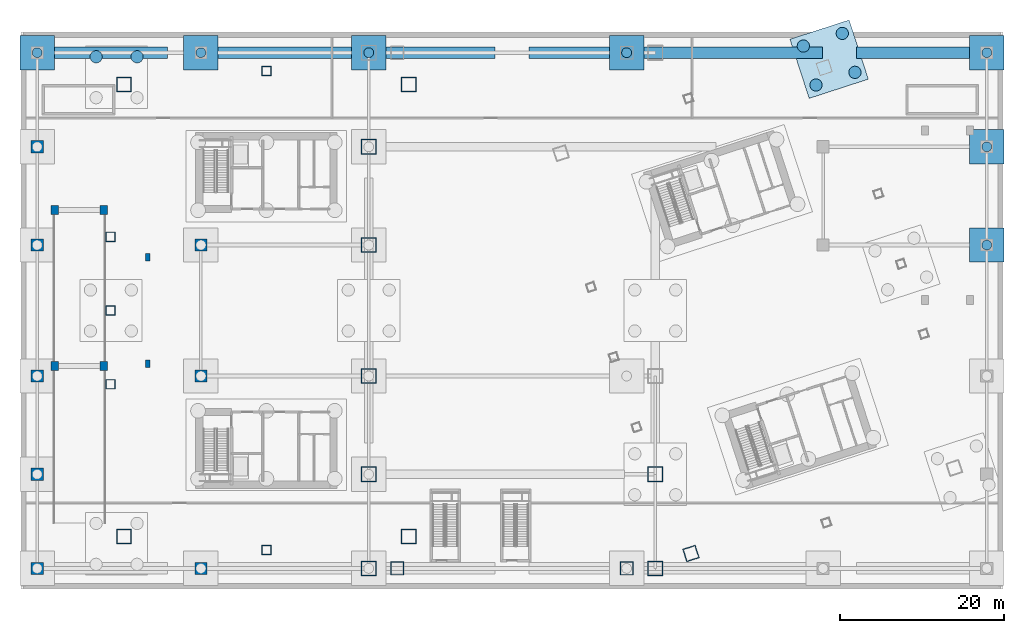
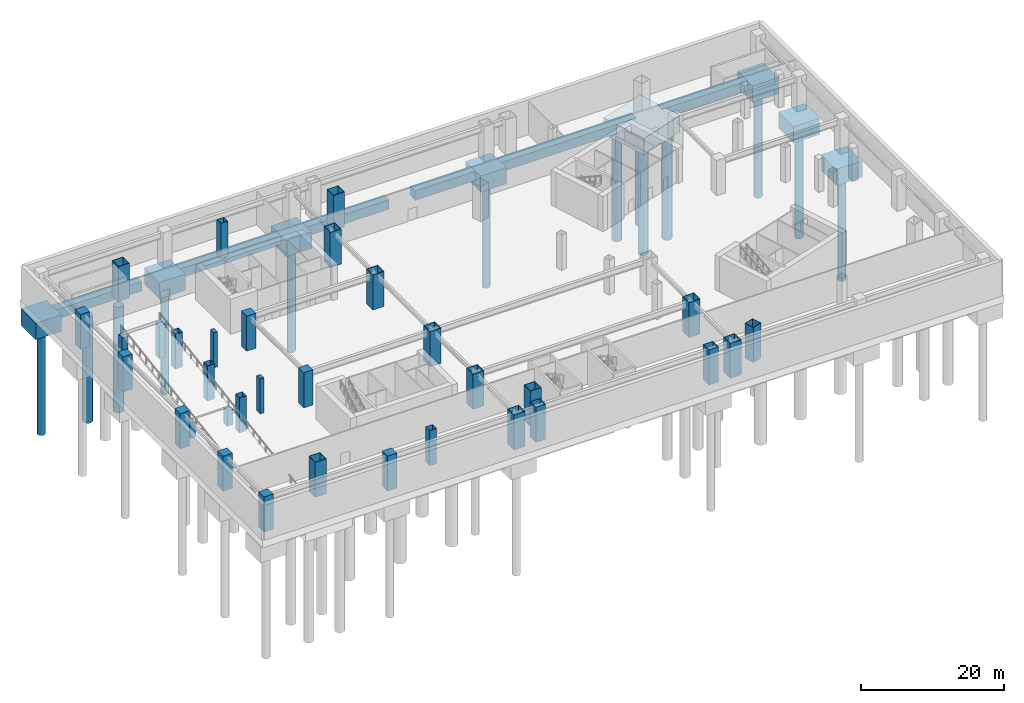
# One storey, part 2 of 20: 33 columns, 13 piles, 12 footings.
"""IFC4 building model written with IfcOpenShell, lengths in metres."""

import ifcopenshell
import ifcopenshell.guid

model = None  # the IFC model being written
_history = None  # IfcOwnerHistory: only IFC2X3 demands one
_inside = {}  # id of a spatial element -> (the spatial element, [elements in it])
_under = {}  # id of a project, library or spatial element -> (it, [spatial elements below it])
_declared = {}  # id of a project -> (the project, [libraries it declares])
_typed = {}  # id of a type object -> (the type object, [elements of that type])
_made_of = {}  # id of a material, layer set ... -> (it, [elements and type objects made of it])


def new_model(schema):
    """Start an empty IFC model of exactly this schema.

    Asked for "IFC4X3", IfcOpenShell would pick the latest addendum, in which some entities
    have other attributes; the version numbers below select the first issue.
    IFC2X3 requires an IfcOwnerHistory on every rooted entity: one is made here for all.
    """
    global model, _history
    if schema == "IFC4X3":
        model = ifcopenshell.file(schema_version=(4, 3, 0, 0))
    else:
        model = ifcopenshell.file(schema=schema)
    _inside.clear()
    _under.clear()
    _declared.clear()
    _typed.clear()
    _made_of.clear()
    _history = None
    if model.schema == "IFC2X3":
        org = make("IfcOrganization", Name="unknown")
        user = make(
            "IfcPersonAndOrganization",
            ThePerson=make("IfcPerson", FamilyName="unknown"),
            TheOrganization=org,
        )
        app = make(
            "IfcApplication",
            ApplicationDeveloper=org,
            Version="unknown",
            ApplicationFullName="unknown",
            ApplicationIdentifier="unknown",
        )
        _history = make(
            "IfcOwnerHistory",
            OwningUser=user,
            OwningApplication=app,
            ChangeAction="ADDED",
            CreationDate=0,
        )
    return model


def make(cls, **values):
    """One entity of the class cls with the attributes given. An attribute that is None is left unset."""
    return model.create_entity(
        cls, **{name: value for name, value in values.items() if value is not None}
    )


def rooted(cls, **values):
    """An entity with a GlobalId (a new one), such as an element, a storey or a relation."""
    return make(cls, GlobalId=ifcopenshell.guid.new(), OwnerHistory=_history, **values)


def si_unit(unit_type, name, prefix=None):
    """IfcSIUnit, for example si_unit("LENGTHUNIT", "METRE", prefix="MILLI")."""
    return make("IfcSIUnit", UnitType=unit_type, Prefix=prefix, Name=name)


def assignment(units):
    """IfcUnitAssignment: the units of a project."""
    return None if units is None else make("IfcUnitAssignment", Units=units)


def point(xyz):
    """IfcCartesianPoint."""
    return None if xyz is None else make("IfcCartesianPoint", Coordinates=xyz)


def direction(xyz):
    """IfcDirection."""
    return None if xyz is None else make("IfcDirection", DirectionRatios=xyz)


def frame(location, z_axis=None, x_axis=None):
    """IfcAxis2Placement3D, a coordinate frame: its origin and axes. An axis left out is left unset."""
    return make(
        "IfcAxis2Placement3D",
        Location=point(location),
        Axis=direction(z_axis),
        RefDirection=direction(x_axis),
    )


def frame_2d(location, x_axis=None):
    """IfcAxis2Placement2D, a coordinate frame in the plane: its origin and x axis."""
    return make(
        "IfcAxis2Placement2D", Location=point(location), RefDirection=direction(x_axis)
    )


def origin():
    """The frame at (0, 0, 0) with its axes left unset."""
    return frame((0.0, 0.0, 0.0))


def origin_2d():
    """The frame at (0, 0) in the plane with its x axis left unset."""
    return frame_2d((0.0, 0.0))


def place(relative_to, where):
    """IfcLocalPlacement: puts the frame where relative to a parent placement (None: the world)."""
    return make(
        "IfcLocalPlacement", PlacementRelTo=relative_to, RelativePlacement=where
    )


def context(
    kind, dimensions, precision=None, world=None, true_north=None, identifier=None
):
    """IfcGeometricRepresentationContext, for example the 3D "Model" context."""
    return make(
        "IfcGeometricRepresentationContext",
        ContextIdentifier=identifier,
        ContextType=kind,
        CoordinateSpaceDimension=dimensions,
        Precision=precision,
        WorldCoordinateSystem=world,
        TrueNorth=true_north,
    )


def subcontext(parent, identifier, kind, view, scale=None):
    """IfcGeometricRepresentationSubContext, for example "Body" below "Model"."""
    return make(
        "IfcGeometricRepresentationSubContext",
        ContextIdentifier=identifier,
        ContextType=kind,
        ParentContext=parent,
        TargetScale=scale,
        TargetView=view,
    )


def project(units=None, contexts=None):
    """IfcProject with its units and contexts."""
    return rooted(
        "IfcProject",
        Name="project",
        RepresentationContexts=contexts,
        UnitsInContext=assignment(units),
    )


def spatial(cls, under=None, at=None, **own):
    """A site, building, storey or space (cls), placed at a placement, below another one or the project."""
    s = rooted(cls, ObjectPlacement=at, **own)
    if under is not None:
        _under.setdefault(under.id(), (under, []))[1].append(s)
    return s


def polyline(points):
    """IfcPolyline through the points."""
    return make("IfcPolyline", Points=[point(p) for p in points])


def profile(cls, at=None, kind="AREA", **sizes):
    """A parametric profile (cls). Its sizes go by their IFC names, for example OverallWidth=200.0."""
    return make(cls, ProfileType=kind, Position=at, **sizes)


def rectangle(**sizes):
    """IfcRectangleProfileDef."""
    return profile("IfcRectangleProfileDef", **sizes)


def hollow_rectangle(**sizes):
    """IfcRectangleHollowProfileDef."""
    return profile("IfcRectangleHollowProfileDef", **sizes)


def circle(**sizes):
    """IfcCircleProfileDef."""
    return profile("IfcCircleProfileDef", **sizes)


def outline(outer, holes=None, kind="AREA"):
    """IfcArbitraryClosedProfileDef: a profile drawn as a closed curve; with holes, ...WithVoids."""
    if holes is None:
        return make("IfcArbitraryClosedProfileDef", ProfileType=kind, OuterCurve=outer)
    return make(
        "IfcArbitraryProfileDefWithVoids",
        ProfileType=kind,
        OuterCurve=outer,
        InnerCurves=holes,
    )


def extrude(swept, where, along, depth):
    """IfcExtrudedAreaSolid: the profile swept, set in the frame where, extruded along a direction by depth."""
    return make(
        "IfcExtrudedAreaSolid",
        SweptArea=swept,
        Position=where,
        ExtrudedDirection=direction(along),
        Depth=depth,
    )


def shape(context_of_items, identifier, shape_type, items):
    """IfcShapeRepresentation: the items that make up one representation, for example the "Body"."""
    return make(
        "IfcShapeRepresentation",
        ContextOfItems=context_of_items,
        RepresentationIdentifier=identifier,
        RepresentationType=shape_type,
        Items=items,
    )


def material(Name=None, Category=None):
    """IfcMaterial."""
    return make("IfcMaterial", Name=Name, Category=Category)


def material_profile(
    of_material, cross_section, Name=None, Category=None, Priority=None
):
    """IfcMaterialProfile: a cross section and its material."""
    return make(
        "IfcMaterialProfile",
        Name=Name,
        Material=of_material,
        Profile=cross_section,
        Priority=Priority,
        Category=Category,
    )


def profile_set(profiles, Name=None, composite=None):
    """IfcMaterialProfileSet."""
    return make(
        "IfcMaterialProfileSet",
        Name=Name,
        MaterialProfiles=profiles,
        CompositeProfile=composite,
    )


def made_of(thing, what):
    """Note that an element or type object is made of a material, layer set ...; save() writes the relation."""
    if what is not None:
        _made_of.setdefault(what.id(), (what, []))[1].append(thing)
    return thing


def type_object(cls, material=None, **own):
    """A type object (cls), such as IfcWallType, which elements share."""
    return made_of(rooted(cls, **own), material)


def element(
    cls,
    number,
    at=None,
    inside=None,
    cuts=None,
    type_object=None,
    material=None,
    context=None,
    identifier="Body",
    shape_type=None,
    held_by="IfcProductDefinitionShape",
    body=None,
    shapes=None,
    **own,
):
    """One element of the class cls, such as IfcWall. Its Tag is "e" and its number.

    at: its placement. inside: the storey or other place that contains it. cuts: it is an
    opening in that element (IfcRelVoidsElement). A single representation is given by context,
    identifier, shape_type and body (its items); several are given by shapes. held_by: the class
    of the entity that holds the representations. save() writes the other relations.
    """
    e = rooted(cls, Tag="e%d" % number, ObjectPlacement=at, **own)
    if body is not None:
        shapes = [shape(context, identifier, shape_type, body)]
    if shapes is not None:
        e.Representation = make(held_by, Representations=shapes)
    if inside is not None:
        _inside.setdefault(inside.id(), (inside, []))[1].append(e)
    if cuts is not None:
        rooted(
            "IfcRelVoidsElement", RelatingBuildingElement=cuts, RelatedOpeningElement=e
        )
    if type_object is not None:
        _typed.setdefault(type_object.id(), (type_object, []))[1].append(e)
    return made_of(e, material)


def aggregate(whole, parts):
    """IfcRelAggregates: a whole, such as a stair, and the parts it consists of."""
    return rooted("IfcRelAggregates", RelatingObject=whole, RelatedObjects=parts)


def save(model, path):
    """Write the relations noted so far, then the file.

    IfcRelAggregates (storeys below a building ...), IfcRelContainedInSpatialStructure (elements
    in a storey), IfcRelDefinesByType, IfcRelAssociatesMaterial and IfcRelDeclares: one each for
    every whole, place, type object, material and project.
    """
    for whole, parts in _under.values():
        aggregate(whole, parts)
    for where, things in _inside.values():
        rooted(
            "IfcRelContainedInSpatialStructure",
            RelatedElements=things,
            RelatingStructure=where,
        )
    for kind, things in _typed.values():
        rooted("IfcRelDefinesByType", RelatedObjects=things, RelatingType=kind)
    for what, things in _made_of.values():
        rooted("IfcRelAssociatesMaterial", RelatedObjects=things, RelatingMaterial=what)
    for by, libraries in _declared.values():
        rooted("IfcRelDeclares", RelatingContext=by, RelatedDefinitions=libraries)
    model.write(path)


model = new_model("IFC4")

# Units and contexts
model_context = context("Model", 3, precision=1e-05, world=origin(), true_north=direction((0.0, 1.0)))
body_context = subcontext(model_context, "Body", "Model", "MODEL_VIEW")
ifc_project = project(units=[si_unit("LENGTHUNIT", "METRE"), si_unit("AREAUNIT", "SQUARE_METRE"), si_unit("VOLUMEUNIT", "CUBIC_METRE"), si_unit("PLANEANGLEUNIT", "RADIAN"), si_unit("MASSUNIT", "GRAM", prefix="KILO")], contexts=[model_context])

# Site, building, storey
site_placement = place(None, origin())
site = spatial("IfcSite", under=ifc_project, at=site_placement, CompositionType="ELEMENT")
building_placement = place(site_placement, origin())
building = spatial("IfcBuilding", under=site, at=building_placement, Name="Qiaolan Cultural Towers", CompositionType="ELEMENT")
storey_placement = place(building_placement, frame((0.0, 0.0, -12.0)))
storey = spatial("IfcBuildingStorey", under=building, at=storey_placement, Name="B2", CompositionType="ELEMENT", Elevation=-12.0)

# Footings
ifc_material_1 = material(Name="Concrete C45", Category="concrete")
footing_type_1 = type_object("IfcFootingType", Name="FT-MEGA-CAP", PredefinedType="PILE_CAP", material=ifc_material_1)
footing_1_placement = place(storey_placement, frame((0.0, 0.0, -4.0)))
element("IfcFooting", 1, at=footing_1_placement, inside=storey, type_object=footing_type_1, Name="Mega-Column Pile Cap ET-NE", PredefinedType="PILE_CAP", context=body_context, shape_type="SweptSolid", body=[
    extrude(outline(polyline([(96.300048828125, 59.915283203125), (103.528076171875, 62.263671875), (101.1796875, 69.49169921875), (93.95166015625, 67.143310546875), (96.300048828125, 59.915283203125)])), origin(), (0.0, 0.0, 1.0), 2.800048828125),
])
ifc_material_2 = material(Name="Concrete C45", Category="concrete")
footing_type_2 = type_object("IfcFootingType", Name="FT-POD-PAD", PredefinedType="PAD_FOOTING", material=ifc_material_2)
footing_2_placement = place(storey_placement, frame((0.0, 0.0, -4.0)))
element("IfcFooting", 2, at=footing_2_placement, inside=storey, type_object=footing_type_2, Name="Podium Perimeter Pad Footing PF-06", PredefinedType="PAD_FOOTING", context=body_context, shape_type="SweptSolid", body=[
    extrude(outline(polyline([(-0.10009765625, 63.39990234375), (4.10009765625, 63.39990234375), (4.10009765625, 67.60009765625), (-0.10009765625, 67.60009765625), (-0.10009765625, 63.39990234375)])), origin(), (0.0, 0.0, 1.0), 2.800048828125),
])
footing_3_placement = place(storey_placement, frame((0.0, 0.0, -4.0)))
element("IfcFooting", 3, at=footing_3_placement, inside=storey, type_object=footing_type_2, Name="Podium Perimeter Pad Footing PF-10", PredefinedType="PAD_FOOTING", context=body_context, shape_type="SweptSolid", body=[
    extrude(outline(polyline([(19.89990234375, 63.39990234375), (24.10009765625, 63.39990234375), (24.10009765625, 67.60009765625), (19.89990234375, 67.60009765625), (19.89990234375, 63.39990234375)])), origin(), (0.0, 0.0, 1.0), 2.800048828125),
])
footing_4_placement = place(storey_placement, frame((0.0, 0.0, -4.0)))
element("IfcFooting", 4, at=footing_4_placement, inside=storey, type_object=footing_type_2, Name="Podium Perimeter Pad Footing PF-16", PredefinedType="PAD_FOOTING", context=body_context, shape_type="SweptSolid", body=[
    extrude(outline(polyline([(40.39990234375, 63.39990234375), (44.60009765625, 63.39990234375), (44.60009765625, 67.60009765625), (40.39990234375, 67.60009765625), (40.39990234375, 63.39990234375)])), origin(), (0.0, 0.0, 1.0), 2.800048828125),
])
footing_5_placement = place(storey_placement, frame((0.0, 0.0, -4.0)))
element("IfcFooting", 5, at=footing_5_placement, inside=storey, type_object=footing_type_2, Name="Podium Perimeter Pad Footing PF-19", PredefinedType="PAD_FOOTING", context=body_context, shape_type="SweptSolid", body=[
    extrude(outline(polyline([(71.89990234375, 63.39990234375), (76.10009765625, 63.39990234375), (76.10009765625, 67.60009765625), (71.89990234375, 67.60009765625), (71.89990234375, 63.39990234375)])), origin(), (0.0, 0.0, 1.0), 2.800048828125),
])
footing_6_placement = place(storey_placement, frame((0.0, 0.0, -4.0)))
element("IfcFooting", 6, at=footing_6_placement, inside=storey, type_object=footing_type_2, Name="Podium Perimeter Pad Footing PF-23", PredefinedType="PAD_FOOTING", context=body_context, shape_type="SweptSolid", body=[
    extrude(outline(polyline([(115.89990234375, 39.89990234375), (120.10009765625, 39.89990234375), (120.10009765625, 44.10009765625), (115.89990234375, 44.10009765625), (115.89990234375, 39.89990234375)])), origin(), (0.0, 0.0, 1.0), 2.800048828125),
])
footing_7_placement = place(storey_placement, frame((0.0, 0.0, -4.0)))
element("IfcFooting", 7, at=footing_7_placement, inside=storey, type_object=footing_type_2, Name="Podium Perimeter Pad Footing PF-24", PredefinedType="PAD_FOOTING", context=body_context, shape_type="SweptSolid", body=[
    extrude(outline(polyline([(115.89990234375, 51.89990234375), (120.10009765625, 51.89990234375), (120.10009765625, 56.10009765625), (115.89990234375, 56.10009765625), (115.89990234375, 51.89990234375)])), origin(), (0.0, 0.0, 1.0), 2.800048828125),
])
footing_8_placement = place(storey_placement, frame((0.0, 0.0, -4.0)))
element("IfcFooting", 8, at=footing_8_placement, inside=storey, type_object=footing_type_2, Name="Podium Perimeter Pad Footing PF-25", PredefinedType="PAD_FOOTING", context=body_context, shape_type="SweptSolid", body=[
    extrude(outline(polyline([(115.89990234375, 63.39990234375), (120.10009765625, 63.39990234375), (120.10009765625, 67.60009765625), (115.89990234375, 67.60009765625), (115.89990234375, 63.39990234375)])), origin(), (0.0, 0.0, 1.0), 2.800048828125),
])
ifc_material_3 = material(Name="Concrete C45", Category="concrete")
footing_type_3 = type_object("IfcFootingType", Name="FT-STRIP-WALL", PredefinedType="STRIP_FOOTING", material=ifc_material_3)
footing_9_placement = place(storey_placement, frame((0.0, 0.0, -2.800048828125)))
element("IfcFooting", 9, at=footing_9_placement, inside=storey, type_object=footing_type_3, Name="Perimeter Strip Footing FT-STR-N1", PredefinedType="STRIP_FOOTING", context=body_context, shape_type="SweptSolid", body=[
    extrude(outline(polyline([(4.10009765625, 64.800048828125), (17.89990234375, 64.800048828125), (17.89990234375, 66.199951171875), (4.10009765625, 66.199951171875), (4.10009765625, 64.800048828125)])), origin(), (0.0, 0.0, 1.0), 1.60009765625),
])
footing_10_placement = place(storey_placement, frame((0.0, 0.0, -2.800048828125)))
element("IfcFooting", 10, at=footing_10_placement, inside=storey, type_object=footing_type_3, Name="Perimeter Strip Footing FT-STR-N2", PredefinedType="STRIP_FOOTING", context=body_context, shape_type="SweptSolid", body=[
    extrude(outline(polyline([(22.10009765625, 64.800048828125), (57.89990234375, 64.800048828125), (57.89990234375, 66.199951171875), (22.10009765625, 66.199951171875), (22.10009765625, 64.800048828125)])), origin(), (0.0, 0.0, 1.0), 1.60009765625),
])
footing_11_placement = place(storey_placement, frame((0.0, 0.0, -2.800048828125)))
element("IfcFooting", 11, at=footing_11_placement, inside=storey, type_object=footing_type_3, Name="Perimeter Strip Footing FT-STR-N3", PredefinedType="STRIP_FOOTING", context=body_context, shape_type="SweptSolid", body=[
    extrude(outline(polyline([(62.10009765625, 64.800048828125), (97.89990234375, 64.800048828125), (97.89990234375, 66.199951171875), (62.10009765625, 66.199951171875), (62.10009765625, 64.800048828125)])), origin(), (0.0, 0.0, 1.0), 1.60009765625),
])
footing_12_placement = place(storey_placement, frame((0.0, 0.0, -2.800048828125)))
element("IfcFooting", 12, at=footing_12_placement, inside=storey, type_object=footing_type_3, Name="Perimeter Strip Footing FT-STR-N4", PredefinedType="STRIP_FOOTING", context=body_context, shape_type="SweptSolid", body=[
    extrude(outline(polyline([(102.10009765625, 64.800048828125), (115.89990234375, 64.800048828125), (115.89990234375, 66.199951171875), (102.10009765625, 66.199951171875), (102.10009765625, 64.800048828125)])), origin(), (0.0, 0.0, 1.0), 1.60009765625),
])

# Piles
ifc_material_4 = material(Name="Concrete C45", Category="concrete")
ifc_material_profile_1 = material_profile(ifc_material_4, circle(Radius=0.60009765625, at=origin_2d()), Name="PILE-D1200")
ifc_profile_set_1 = profile_set([ifc_material_profile_1], Name="Concrete C45")
pile_type_1 = type_object("IfcPileType", Name="PL-PILE-D1200", PredefinedType="DRIVEN", material=ifc_profile_set_1)
for number, where, z_axis, x_axis, name in (
    (13, (2.0, 65.5, -3.89990234375), (0.0, 0.0, -1.0), (1.0, 0.0, 0.0), "Rock-Socketed Bored Pile P-066 (PILE-D1200)"),
    (14, (22.0, 65.5, -3.89990234375), (0.0, 0.0, -1.0), (1.0, 0.0, 0.0), "Rock-Socketed Bored Pile P-070 (PILE-D1200)"),
    (15, (42.5, 65.5, -3.89990234375), (0.0, 0.0, -1.0), (1.0, 0.0, 0.0), "Rock-Socketed Bored Pile P-076 (PILE-D1200)"),
    (16, (74.0, 65.5, -3.89990234375), (0.0, 0.0, -1.0), (1.0, 0.0, 0.0), "Rock-Socketed Bored Pile P-079 (PILE-D1200)"),
    (17, (118.0, 42.0, -3.89990234375), (0.0, 0.0, -1.0), (1.0, 0.0, 0.0), "Rock-Socketed Bored Pile P-083 (PILE-D1200)"),
    (18, (118.0, 54.0, -3.89990234375), (0.0, 0.0, -1.0), (1.0, 0.0, 0.0), "Rock-Socketed Bored Pile P-084 (PILE-D1200)"),
    (19, (118.0, 65.5, -3.89990234375), (0.0, 0.0, -1.0), (1.0, 0.0, 0.0), "Rock-Socketed Bored Pile P-085 (PILE-D1200)"),
):
    element("IfcPile", number, at=place(storey_placement, frame(where, z_axis=z_axis, x_axis=x_axis)), inside=storey, type_object=pile_type_1, Name=name, PredefinedType="DRIVEN", context=body_context, shape_type="SweptSolid", body=[
        extrude(circle(Radius=0.60009765625, at=origin_2d()), origin(), (0.0, 0.0, 1.0), 18.10009765625),
    ])
ifc_material_5 = material(Name="Concrete C45", Category="concrete")
ifc_material_profile_2 = material_profile(ifc_material_5, circle(Radius=0.75, at=origin_2d()), Name="PILE-D1500")
ifc_profile_set_2 = profile_set([ifc_material_profile_2], Name="Concrete C45")
pile_type_2 = type_object("IfcPileType", Name="PL-PILE-D1500", PredefinedType="BORED", material=ifc_profile_set_2)
for number, where, z_axis, x_axis, name in (
    (20, (9.199951171875, 65.0, -3.89990234375), (0.0, 0.0, -1.0), (1.0, 0.0, 0.0), "Rock-Socketed Bored Pile P-030 (PILE-D1500)"),
    (21, (14.199951171875, 65.0, -3.89990234375), (0.0, 0.0, -1.0), (1.0, 0.0, 0.0), "Rock-Socketed Bored Pile P-032 (PILE-D1500)"),
    (22, (97.134765625, 61.55322265625, -3.89990234375), (0.0, 0.0, -1.0), (1.0, 0.0, 0.0), "Rock-Socketed Bored Pile P-053 (PILE-D1500)"),
    (23, (95.589599609375, 66.30859375, -3.89990234375), (0.0, 0.0, -1.0), (1.0, 0.0, 0.0), "Rock-Socketed Bored Pile P-054 (PILE-D1500)"),
    (24, (101.89013671875, 63.098388671875, -3.89990234375), (0.0, 0.0, -1.0), (1.0, 0.0, 0.0), "Rock-Socketed Bored Pile P-055 (PILE-D1500)"),
    (25, (100.344970703125, 67.853759765625, -3.89990234375), (0.0, 0.0, -1.0), (1.0, 0.0, 0.0), "Rock-Socketed Bored Pile P-056 (PILE-D1500)"),
):
    element("IfcPile", number, at=place(storey_placement, frame(where, z_axis=z_axis, x_axis=x_axis)), inside=storey, type_object=pile_type_2, Name=name, PredefinedType="BORED", context=body_context, shape_type="SweptSolid", body=[
        extrude(circle(Radius=0.75, at=origin_2d()), origin(), (0.0, 0.0, 1.0), 18.10009765625),
    ])

# Columns
ifc_material_6 = material(Name="Steel Q390GJB", Category="steel")
ifc_material_profile_3 = material_profile(ifc_material_6, hollow_rectangle(XDim=1.14990234375, YDim=1.14990234375, WallThickness=0.0400390625, at=origin_2d()), Name="BOX1150x1150x40")
ifc_profile_set_3 = profile_set([ifc_material_profile_3], Name="Steel Q390GJB")
column_type_1 = type_object("IfcColumnType", Name="COL-BOX1150x1150x40", PredefinedType="COLUMN", material=ifc_profile_set_3)
for number, where, z_axis, x_axis, name in (
    (26, (10.949951171875, 25.0, 0.0), (0.0, 0.0, 1.0), (1.0, 0.0, 0.0), "B2 T1 Column PC-W1"),
    (27, (10.949951171875, 34.0, 0.0), (0.0, 0.0, 1.0), (1.0, 0.0, 0.0), "B2 T1 Column PC-W2"),
    (28, (10.949951171875, 43.0, 0.0), (0.0, 0.0, 1.0), (1.0, 0.0, 0.0), "B2 T1 Column PC-W3"),
    (29, (30.0, 4.75, 0.0), (0.0, 0.0, 1.0), (1.0, 0.0, 0.0), "B2 T1 Column PC-S0"),
    (30, (30.0, 63.25, 0.0), (0.0, 0.0, 1.0), (1.0, 0.0, 0.0), "B2 T1 Column PC-N0"),
):
    element("IfcColumn", number, at=place(storey_placement, frame(where, z_axis=z_axis, x_axis=x_axis)), inside=storey, type_object=column_type_1, Name=name, PredefinedType="COLUMN", context=body_context, shape_type="SweptSolid", body=[
        extrude(hollow_rectangle(XDim=1.14990234375, YDim=1.14990234375, WallThickness=0.0400390625, at=origin_2d()), origin(), (0.0, 0.0, 1.0), 6.0009765625),
    ])
ifc_material_7 = material(Name="Steel Q420GJB", Category="steel")
ifc_material_profile_4 = material_profile(ifc_material_7, hollow_rectangle(XDim=1.60009765625, YDim=1.60009765625, WallThickness=0.054931640625, at=origin_2d()), Name="BOX1600x1600x55")
ifc_profile_set_4 = profile_set([ifc_material_profile_4], Name="Steel Q420GJB")
column_type_2 = type_object("IfcColumnType", Name="COL-BOX1600x1600x55", PredefinedType="COLUMN", material=ifc_profile_set_4)
for number, where, z_axis, x_axis, name in (
    (31, (46.0, 2.5, 0.0), (0.0, 0.0, 1.0), (1.0, 0.0, 0.0), "B2 Podium Column PC-MID-46-2"),
    (32, (74.0, 2.5, 0.0), (0.0, 0.0, 1.0), (1.0, 0.0, 0.0), "B2 Podium Column PC-MID-74-2"),
    (33, (81.862548828125, 4.32275390625, 0.0), (0.0, 0.0, 1.0), (0.951056516295, 0.309016994375, 0.0), "B2 T2 Column MC-SW"),
):
    element("IfcColumn", number, at=place(storey_placement, frame(where, z_axis=z_axis, x_axis=x_axis)), inside=storey, type_object=column_type_2, Name=name, PredefinedType="COLUMN", context=body_context, shape_type="SweptSolid", body=[
        extrude(hollow_rectangle(XDim=1.60009765625, YDim=1.60009765625, WallThickness=0.054931640625, at=origin_2d()), origin(), (0.0, 0.0, 1.0), 6.0009765625),
    ])
ifc_material_8 = material(Name="Steel Q420GJB", Category="steel")
ifc_material_profile_5 = material_profile(ifc_material_8, hollow_rectangle(XDim=1.800048828125, YDim=1.800048828125, WallThickness=0.06005859375, at=origin_2d()), Name="BOX1800x1800x60")
ifc_profile_set_5 = profile_set([ifc_material_profile_5], Name="Steel Q420GJB")
column_type_3 = type_object("IfcColumnType", Name="COL-BOX1800x1800x60", PredefinedType="COLUMN", material=ifc_profile_set_5)
for number, where, z_axis, x_axis, name in (
    (34, (42.5, 2.5, 0.0), (0.0, 0.0, 1.0), (1.0, 0.0, 0.0), "B2 Podium Column PC-42-2"),
    (35, (42.5, 14.0, 0.0), (0.0, 0.0, 1.0), (1.0, 0.0, 0.0), "B2 Podium Column PC-42-14"),
    (36, (42.5, 26.0, 0.0), (0.0, 0.0, 1.0), (1.0, 0.0, 0.0), "B2 Podium Column PC-42-26"),
    (37, (42.5, 42.0, 0.0), (0.0, 0.0, 1.0), (1.0, 0.0, 0.0), "B2 Podium Column PC-42-42"),
    (38, (42.5, 54.0, 0.0), (0.0, 0.0, 1.0), (1.0, 0.0, 0.0), "B2 Podium Column PC-42-54"),
    (39, (77.5, 2.5, 0.0), (0.0, 0.0, 1.0), (1.0, 0.0, 0.0), "B2 Podium Column PC-77-2"),
    (40, (77.5, 14.0, 0.0), (0.0, 0.0, 1.0), (1.0, 0.0, 0.0), "B2 Podium Column PC-77-14"),
    (41, (12.60009765625, 6.39990234375, 0.0), (0.0, 0.0, 1.0), (1.0, 0.0, 0.0), "B2 T1 Column MC-SW"),
    (42, (47.39990234375, 6.39990234375, 0.0), (0.0, 0.0, 1.0), (1.0, 0.0, 0.0), "B2 T1 Column MC-SE"),
    (43, (47.39990234375, 61.60009765625, 0.0), (0.0, 0.0, 1.0), (1.0, 0.0, 0.0), "B2 T1 Column MC-NE"),
    (44, (12.60009765625, 61.60009765625, 0.0), (0.0, 0.0, 1.0), (1.0, 0.0, 0.0), "B2 T1 Column MC-NW"),
):
    element("IfcColumn", number, at=place(storey_placement, frame(where, z_axis=z_axis, x_axis=x_axis)), inside=storey, type_object=column_type_3, Name=name, PredefinedType="COLUMN", context=body_context, shape_type="SweptSolid", body=[
        extrude(hollow_rectangle(XDim=1.800048828125, YDim=1.800048828125, WallThickness=0.06005859375, at=origin_2d()), origin(), (0.0, 0.0, 1.0), 6.0009765625),
    ])
ifc_material_9 = material(Name="Concrete C60", Category="concrete")
ifc_material_profile_6 = material_profile(ifc_material_9, rectangle(XDim=1.5, YDim=1.5, at=origin_2d()), Name="RC1500x1500")
ifc_profile_set_6 = profile_set([ifc_material_profile_6], Name="Concrete C60")
column_type_4 = type_object("IfcColumnType", Name="COL-RC1500x1500", PredefinedType="COLUMN", material=ifc_profile_set_6)
for number, where, z_axis, x_axis, name in (
    (45, (2.0, 2.5, 0.0), (0.0, 0.0, 1.0), (1.0, 0.0, 0.0), "B2 Podium Column PC-2-2"),
    (46, (2.0, 14.0, 0.0), (0.0, 0.0, 1.0), (1.0, 0.0, 0.0), "B2 Podium Column PC-2-14"),
    (47, (2.0, 26.0, 0.0), (0.0, 0.0, 1.0), (1.0, 0.0, 0.0), "B2 Podium Column PC-2-26"),
    (48, (2.0, 42.0, 0.0), (0.0, 0.0, 1.0), (1.0, 0.0, 0.0), "B2 Podium Column PC-2-42"),
    (49, (2.0, 54.0, 0.0), (0.0, 0.0, 1.0), (1.0, 0.0, 0.0), "B2 Podium Column PC-2-54"),
    (50, (22.0, 2.5, 0.0), (0.0, 0.0, 1.0), (1.0, 0.0, 0.0), "B2 Podium Column PC-22-2"),
    (51, (22.0, 26.0, 0.0), (0.0, 0.0, 1.0), (1.0, 0.0, 0.0), "B2 Podium Column PC-22-26"),
    (52, (22.0, 42.0, 0.0), (0.0, 0.0, 1.0), (1.0, 0.0, 0.0), "B2 Podium Column PC-22-42"),
):
    element("IfcColumn", number, at=place(storey_placement, frame(where, z_axis=z_axis, x_axis=x_axis)), inside=storey, type_object=column_type_4, Name=name, PredefinedType="COLUMN", context=body_context, shape_type="SweptSolid", body=[
        extrude(rectangle(XDim=1.5, YDim=1.5, at=origin_2d()), origin(), (0.0, 0.0, 1.0), 6.0009765625),
    ])
ifc_material_10 = material(Name="Concrete C50", Category="concrete")
ifc_material_profile_7 = material_profile(ifc_material_10, rectangle(XDim=0.60009765625, YDim=0.949951171875, at=origin_2d()), Name="RC600x950")
ifc_profile_set_7 = profile_set([ifc_material_profile_7], Name="Concrete C50")
column_type_5 = type_object("IfcColumnType", Name="COL-RC600x950", PredefinedType="PILASTER", material=ifc_profile_set_7)
for number, where, z_axis, x_axis, name in (
    (53, (15.5, 27.5, 0.0), (0.0, 0.0, 1.0), (1.0, 0.0, 0.0), "B2 Museum Gallery Structural Pilaster 1"),
    (54, (15.5, 40.5, 0.0), (0.0, 0.0, 1.0), (1.0, 0.0, 0.0), "B2 Museum Gallery Structural Pilaster 2"),
):
    element("IfcColumn", number, at=place(storey_placement, frame(where, z_axis=z_axis, x_axis=x_axis)), inside=storey, type_object=column_type_5, Name=name, PredefinedType="PILASTER", context=body_context, shape_type="SweptSolid", body=[
        extrude(rectangle(XDim=0.60009765625, YDim=0.949951171875, at=origin_2d()), origin(), (0.0, 0.0, 1.0), 6.0009765625),
    ])
ifc_material_11 = material(Name="Concrete C50", Category="concrete")
ifc_material_profile_8 = material_profile(ifc_material_11, rectangle(XDim=0.89990234375, YDim=1.10009765625, at=origin_2d()), Name="RC900x1100")
ifc_profile_set_8 = profile_set([ifc_material_profile_8], Name="Concrete C50")
column_type_6 = type_object("IfcColumnType", Name="COL-RC900x1100", PredefinedType="COLUMN", material=ifc_profile_set_8)
for number, where, z_axis, x_axis, name in (
    (55, (4.14990234375, 27.25, 0.0), (0.0, 0.0, 1.0), (1.0, 0.0, 0.0), "B2 Vehicle Ramp Support Column 1"),
    (56, (10.14990234375, 27.25, 0.0), (0.0, 0.0, 1.0), (1.0, 0.0, 0.0), "B2 Vehicle Ramp Support Column 2"),
):
    element("IfcColumn", number, at=place(storey_placement, frame(where, z_axis=z_axis, x_axis=x_axis)), inside=storey, type_object=column_type_6, Name=name, PredefinedType="COLUMN", context=body_context, shape_type="SweptSolid", body=[
        extrude(rectangle(XDim=0.89990234375, YDim=1.10009765625, at=origin_2d()), origin(), (0.0, 0.0, 1.0), 2.64990234375),
    ])
for number, where, z_axis, x_axis, name in (
    (57, (4.14990234375, 46.300048828125, 0.0), (0.0, 0.0, 1.0), (1.0, 0.0, 0.0), "B2 Vehicle Ramp Support Column 3"),
    (58, (10.14990234375, 46.300048828125, 0.0), (0.0, 0.0, 1.0), (1.0, 0.0, 0.0), "B2 Vehicle Ramp Support Column 4"),
):
    element("IfcColumn", number, at=place(storey_placement, frame(where, z_axis=z_axis, x_axis=x_axis)), inside=storey, type_object=column_type_6, Name=name, PredefinedType="COLUMN", context=body_context, shape_type="SweptSolid", body=[
        extrude(rectangle(XDim=0.89990234375, YDim=1.10009765625, at=origin_2d()), origin(), (0.0, 0.0, 1.0), 5.64990234375),
    ])

save(model, "model.ifc")
